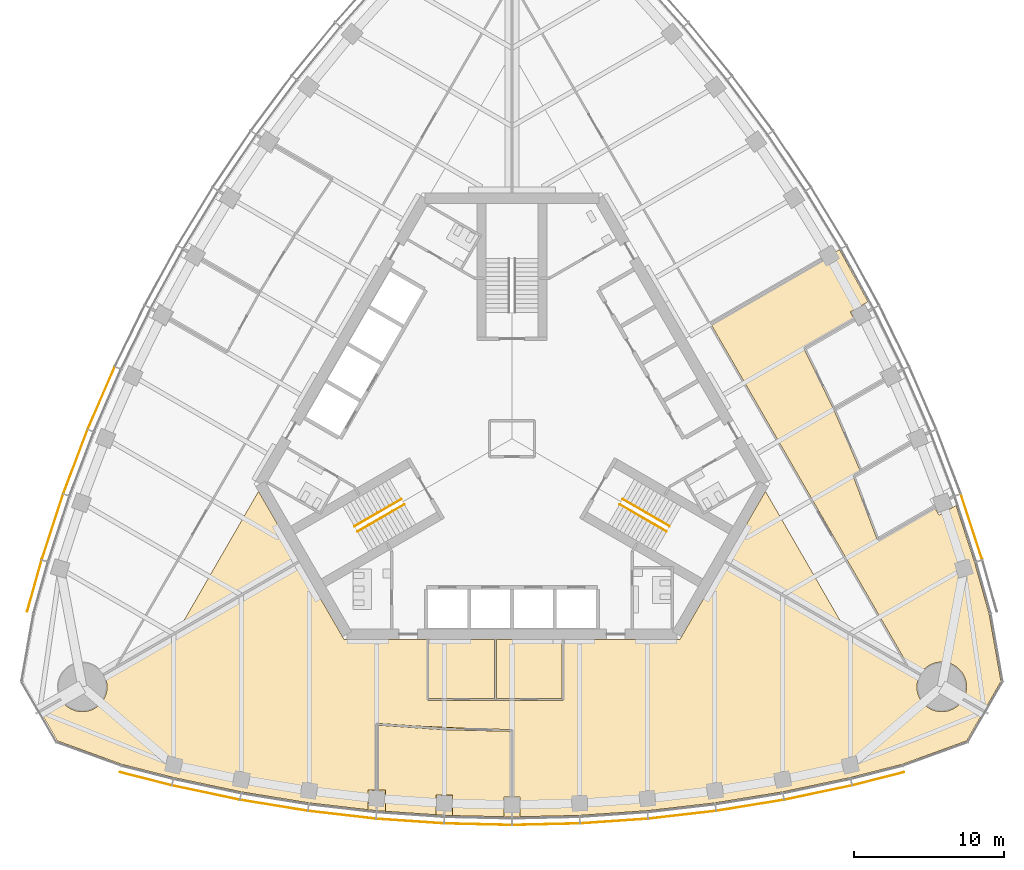
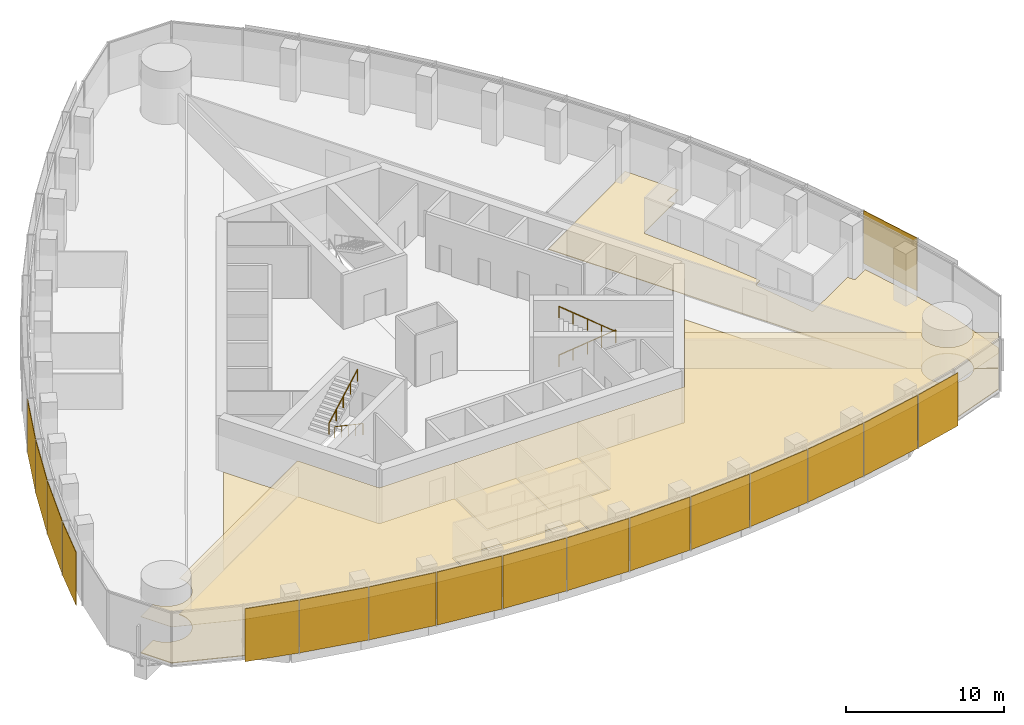
# One storey, part 15 of 19: 17 shading devices, 8 coverings, 4 railings.
"""IFC4 building model written with IfcOpenShell, lengths in metres."""

from ifc_helpers import new_model, si_unit, direction, frame, origin, origin_2d, place, context, subcontext, project, spatial, polyline, rectangle, circle, outline, extrude, material, layer, layer_set, type_object, element, save


model = new_model("IFC4")

# Units and contexts
model_context = context("Model", 3, precision=1e-05, world=origin(), true_north=direction((0.0, 1.0)))
body_context = subcontext(model_context, "Body", "Model", "MODEL_VIEW")
ifc_project = project(units=[si_unit("LENGTHUNIT", "METRE"), si_unit("AREAUNIT", "SQUARE_METRE"), si_unit("VOLUMEUNIT", "CUBIC_METRE"), si_unit("PLANEANGLEUNIT", "RADIAN"), si_unit("MASSUNIT", "GRAM", prefix="KILO")], contexts=[model_context])

# Site, building, storey
site_placement = place(None, origin())
site = spatial("IfcSite", under=ifc_project, at=site_placement, CompositionType="ELEMENT")
building_placement = place(site_placement, origin())
building = spatial("IfcBuilding", under=site, at=building_placement, Name="Trefoil Bronze Tower", CompositionType="ELEMENT")
storey_placement = place(building_placement, frame((0.0, 0.0, 240.10009765625)))
storey = spatial("IfcBuildingStorey", under=building, at=storey_placement, Name="L55", CompositionType="ELEMENT", Elevation=240.10009765625)

# Shading devices
ifc_material_1 = material(Name="Perforated bronze sheet", Category="bronze")
ifc_layer_1 = layer(ifc_material_1, 0.0400390625)
ifc_layer_set_1 = layer_set([ifc_layer_1], Name="Bronze solar screen panel")
shading_device_type = type_object("IfcShadingDeviceType", Name="Bronze solar screen panel", PredefinedType="SHUTTER", material=ifc_layer_set_1)
shading_device_1_placement = place(storey_placement, frame((-24.360107421875, -22.614501953125, 0.0498046875), z_axis=(0.0, 0.0, 1.0), x_axis=(0.968934035393, -0.247319297786, 0.0)))
element("IfcShadingDevice", 1, at=shading_device_1_placement, inside=storey, type_object=shading_device_type, Name="Solar screen CW-A L55 F1 bay 1", PredefinedType="SHUTTER", context=body_context, shape_type="SweptSolid", body=[
    extrude(rectangle(XDim=3.53369140625, YDim=0.0400390625, at=origin_2d()), origin(), (0.0, 0.0, 1.0), 4.10009765625),
])
shading_device_2_placement = place(storey_placement, frame((-20.361572265625, -23.535888671875, 0.0498046875), z_axis=(0.0, 0.0, 1.0), x_axis=(0.978394335897, -0.20674748725, 0.0)))
element("IfcShadingDevice", 2, at=shading_device_2_placement, inside=storey, type_object=shading_device_type, Name="Solar screen CW-A L55 F1 bay 2", PredefinedType="SHUTTER", context=body_context, shape_type="SweptSolid", body=[
    extrude(rectangle(XDim=4.5693359375, YDim=0.0400390625, at=origin_2d()), origin(), (0.0, 0.0, 1.0), 4.10009765625),
])
shading_device_3_placement = place(storey_placement, frame((-15.8369140625, -24.382568359375, 0.0498046875), z_axis=(0.0, 0.0, 1.0), x_axis=(0.986986549528, -0.160802832848, 0.0)))
element("IfcShadingDevice", 3, at=shading_device_3_placement, inside=storey, type_object=shading_device_type, Name="Solar screen CW-A L55 F1 bay 3", PredefinedType="SHUTTER", context=body_context, shape_type="SweptSolid", body=[
    extrude(rectangle(XDim=4.529296875, YDim=0.0400390625, at=origin_2d()), origin(), (0.0, 0.0, 1.0), 4.10009765625),
])
shading_device_4_placement = place(storey_placement, frame((-11.31201171875, -25.0126953125, 0.0498046875), z_axis=(0.0, 0.0, 1.0), x_axis=(0.993381831741, -0.114858767043, 0.0)))
element("IfcShadingDevice", 4, at=shading_device_4_placement, inside=storey, type_object=shading_device_type, Name="Solar screen CW-A L55 F1 bay 4", PredefinedType="SHUTTER", context=body_context, shape_type="SweptSolid", body=[
    extrude(rectangle(XDim=4.5, YDim=0.0400390625, at=origin_2d()), origin(), (0.0, 0.0, 1.0), 4.10009765625),
])
shading_device_5_placement = place(storey_placement, frame((-6.787109375, -25.430419921875, 0.0498046875), z_axis=(0.0, 0.0, 1.0), x_axis=(0.99762252804, -0.068915103905, 0.0)))
element("IfcShadingDevice", 5, at=shading_device_5_placement, inside=storey, type_object=shading_device_type, Name="Solar screen CW-A L55 F1 bay 5", PredefinedType="SHUTTER", context=body_context, shape_type="SweptSolid", body=[
    extrude(rectangle(XDim=4.480712890625, YDim=0.0400390625, at=origin_2d()), origin(), (0.0, 0.0, 1.0), 4.10009765625),
])
for number, where, z_axis, x_axis, name in (
    (6, (-2.262451171875, -25.638671875, 0.0498046875), (0.0, 0.0, 1.0), (0.999736116243, -0.022971675577, 0.0), "Solar screen CW-A L55 F1 bay 6"),
    (7, (2.262451171875, -25.638671875, 0.0498046875), (0.0, 0.0, 1.0), (0.999736116243, 0.022971675577, 0.0), "Solar screen CW-A L55 F1 bay 7"),
):
    element("IfcShadingDevice", number, at=place(storey_placement, frame(where, z_axis=z_axis, x_axis=x_axis)), inside=storey, type_object=shading_device_type, Name=name, PredefinedType="SHUTTER", context=body_context, shape_type="SweptSolid", body=[
        extrude(rectangle(XDim=4.47119140625, YDim=0.0400390625, at=origin_2d()), origin(), (0.0, 0.0, 1.0), 4.10009765625),
    ])
shading_device_6_placement = place(storey_placement, frame((6.787109375, -25.430419921875, 0.0498046875), z_axis=(0.0, 0.0, 1.0), x_axis=(0.99762252804, 0.068915103905, 0.0)))
element("IfcShadingDevice", 8, at=shading_device_6_placement, inside=storey, type_object=shading_device_type, Name="Solar screen CW-A L55 F1 bay 8", PredefinedType="SHUTTER", context=body_context, shape_type="SweptSolid", body=[
    extrude(rectangle(XDim=4.480712890625, YDim=0.0400390625, at=origin_2d()), origin(), (0.0, 0.0, 1.0), 4.10009765625),
])
shading_device_7_placement = place(storey_placement, frame((11.31201171875, -25.0126953125, 0.0498046875), z_axis=(0.0, 0.0, 1.0), x_axis=(0.993381831741, 0.114858767043, 0.0)))
element("IfcShadingDevice", 9, at=shading_device_7_placement, inside=storey, type_object=shading_device_type, Name="Solar screen CW-A L55 F1 bay 9", PredefinedType="SHUTTER", context=body_context, shape_type="SweptSolid", body=[
    extrude(rectangle(XDim=4.5, YDim=0.0400390625, at=origin_2d()), origin(), (0.0, 0.0, 1.0), 4.10009765625),
])
shading_device_8_placement = place(storey_placement, frame((15.8369140625, -24.382568359375, 0.0498046875), z_axis=(0.0, 0.0, 1.0), x_axis=(0.986986549528, 0.160802832848, 0.0)))
element("IfcShadingDevice", 10, at=shading_device_8_placement, inside=storey, type_object=shading_device_type, Name="Solar screen CW-A L55 F1 bay 10", PredefinedType="SHUTTER", context=body_context, shape_type="SweptSolid", body=[
    extrude(rectangle(XDim=4.529296875, YDim=0.0400390625, at=origin_2d()), origin(), (0.0, 0.0, 1.0), 4.10009765625),
])
shading_device_9_placement = place(storey_placement, frame((20.361572265625, -23.535888671875, 0.0498046875), z_axis=(0.0, 0.0, 1.0), x_axis=(0.978394335897, 0.20674748725, 0.0)))
element("IfcShadingDevice", 11, at=shading_device_9_placement, inside=storey, type_object=shading_device_type, Name="Solar screen CW-A L55 F1 bay 11", PredefinedType="SHUTTER", context=body_context, shape_type="SweptSolid", body=[
    extrude(rectangle(XDim=4.5693359375, YDim=0.0400390625, at=origin_2d()), origin(), (0.0, 0.0, 1.0), 4.10009765625),
])
shading_device_10_placement = place(storey_placement, frame((24.360107421875, -22.614501953125, 0.0498046875), z_axis=(0.0, 0.0, 1.0), x_axis=(0.968934035393, 0.247319297786, 0.0)))
element("IfcShadingDevice", 12, at=shading_device_10_placement, inside=storey, type_object=shading_device_type, Name="Solar screen CW-A L55 F1 bay 12", PredefinedType="SHUTTER", context=body_context, shape_type="SweptSolid", body=[
    extrude(rectangle(XDim=3.53369140625, YDim=0.0400390625, at=origin_2d()), origin(), (0.0, 0.0, 1.0), 4.10009765625),
])
shading_device_11_placement = place(storey_placement, frame((30.5634765625, -5.86572265625, 0.0498046875), z_axis=(0.0, 0.0, 1.0), x_axis=(-0.310148591821, 0.950688093431, 0.0)))
element("IfcShadingDevice", 13, at=shading_device_11_placement, inside=storey, type_object=shading_device_type, Name="Solar screen CW-A L55 F2 bay 2", PredefinedType="SHUTTER", context=body_context, shape_type="SweptSolid", body=[
    extrude(rectangle(XDim=4.5693359375, YDim=0.0400390625, at=origin_2d()), origin(), (0.0, 0.0, 1.0), 4.10009765625),
])
shading_device_12_placement = place(storey_placement, frame((-27.317626953125, 2.709716796875, 0.0498046875), z_axis=(0.0, 0.0, 1.0), x_axis=(-0.397220305764, -0.917723285467, 0.0)))
element("IfcShadingDevice", 14, at=shading_device_12_placement, inside=storey, type_object=shading_device_type, Name="Solar screen CW-A L55 F3 bay 9", PredefinedType="SHUTTER", context=body_context, shape_type="SweptSolid", body=[
    extrude(rectangle(XDim=4.5, YDim=0.0400390625, at=origin_2d()), origin(), (0.0, 0.0, 1.0), 4.10009765625),
])
shading_device_13_placement = place(storey_placement, frame((-29.0341796875, -1.52392578125, 0.0498046875), z_axis=(0.0, 0.0, 1.0), x_axis=(-0.354233936517, -0.935156841508, 0.0)))
element("IfcShadingDevice", 15, at=shading_device_13_placement, inside=storey, type_object=shading_device_type, Name="Solar screen CW-A L55 F3 bay 10", PredefinedType="SHUTTER", context=body_context, shape_type="SweptSolid", body=[
    extrude(rectangle(XDim=4.529296875, YDim=0.0400390625, at=origin_2d()), origin(), (0.0, 0.0, 1.0), 4.10009765625),
])
shading_device_14_placement = place(storey_placement, frame((-30.5634765625, -5.86572265625, 0.0498046875), z_axis=(0.0, 0.0, 1.0), x_axis=(-0.310148591821, -0.950688093431, 0.0)))
element("IfcShadingDevice", 16, at=shading_device_14_placement, inside=storey, type_object=shading_device_type, Name="Solar screen CW-A L55 F3 bay 11", PredefinedType="SHUTTER", context=body_context, shape_type="SweptSolid", body=[
    extrude(rectangle(XDim=4.5693359375, YDim=0.0400390625, at=origin_2d()), origin(), (0.0, 0.0, 1.0), 4.10009765625),
])
shading_device_15_placement = place(storey_placement, frame((-31.764892578125, -9.7890625, 0.0498046875), z_axis=(0.0, 0.0, 1.0), x_axis=(-0.270282222968, -0.962781138134, 0.0)))
element("IfcShadingDevice", 17, at=shading_device_15_placement, inside=storey, type_object=shading_device_type, Name="Solar screen CW-A L55 F3 bay 12", PredefinedType="SHUTTER", context=body_context, shape_type="SweptSolid", body=[
    extrude(rectangle(XDim=3.53369140625, YDim=0.0400390625, at=origin_2d()), origin(), (0.0, 0.0, 1.0), 4.10009765625),
])

# Railings
ifc_material_2 = material(Name="Steel handrail", Category="steel")
railing_type = type_object("IfcRailingType", Name="Handrail 900", PredefinedType="HANDRAIL", material=ifc_material_2)
railing_1_placement = place(storey_placement, frame((7.365966796875, -4.021728515625, 0.161376953125)))
element("IfcRailing", 18, at=railing_1_placement, inside=storey, type_object=railing_type, Name="Handrail ST1 flight 1 L55", PredefinedType="HANDRAIL", context=body_context, shape_type="SweptSolid", body=[
    extrude(circle(Radius=0.02392578125, at=origin_2d()), frame((0.0, 0.0, 0.8759765625), z_axis=(0.76250339821, -0.440245697338, 0.474101564745), x_axis=(0.500012057535, 0.866018442252, 0.0)), (0.0, 0.0, 1.0), 4.088623046875),
    extrude(circle(Radius=0.02099609375, at=origin_2d()), origin(), (0.0, 0.0, 1.0), 0.851806640625),
    extrude(circle(Radius=0.02099609375, at=origin_2d()), frame((0.779296875, -0.449951171875, 0.484619140625)), (0.0, 0.0, 1.0), 0.851806640625),
    extrude(circle(Radius=0.02099609375, at=origin_2d()), frame((1.558837890625, -0.89990234375, 0.96923828125)), (0.0, 0.0, 1.0), 0.851806640625),
    extrude(circle(Radius=0.02099609375, at=origin_2d()), frame((2.33837890625, -1.35009765625, 1.453857421875)), (0.0, 0.0, 1.0), 0.851806640625),
    extrude(circle(Radius=0.02099609375, at=origin_2d()), frame((3.11767578125, -1.800048828125, 1.9384765625)), (0.0, 0.0, 1.0), 0.851806640625),
])
railing_2_placement = place(storey_placement, frame((10.28369140625, -6.168212890625, 2.261474609375)))
element("IfcRailing", 19, at=railing_2_placement, inside=storey, type_object=railing_type, Name="Handrail ST1 flight 2 L55", PredefinedType="HANDRAIL", context=body_context, shape_type="SweptSolid", body=[
    extrude(circle(Radius=0.02392578125, at=origin_2d()), frame((0.0, 0.0, 0.8759765625), z_axis=(-0.76250339821, 0.440245697338, 0.474101564745), x_axis=(-0.500012057535, -0.866018442252, 0.0)), (0.0, 0.0, 1.0), 4.088623046875),
    extrude(circle(Radius=0.02099609375, at=origin_2d()), origin(), (0.0, 0.0, 1.0), 0.851806640625),
    extrude(circle(Radius=0.02099609375, at=origin_2d()), frame((-0.779296875, 0.449951171875, 0.484619140625)), (0.0, 0.0, 1.0), 0.851806640625),
    extrude(circle(Radius=0.02099609375, at=origin_2d()), frame((-1.558837890625, 0.89990234375, 0.96923828125)), (0.0, 0.0, 1.0), 0.851806640625),
    extrude(circle(Radius=0.02099609375, at=origin_2d()), frame((-2.33837890625, 1.35009765625, 1.453857421875)), (0.0, 0.0, 1.0), 0.851806640625),
    extrude(circle(Radius=0.02099609375, at=origin_2d()), frame((-3.11767578125, 1.800048828125, 1.9384765625)), (0.0, 0.0, 1.0), 0.851806640625),
])
railing_3_placement = place(storey_placement, frame((-7.166015625, -4.3681640625, 0.161376953125)))
element("IfcRailing", 20, at=railing_3_placement, inside=storey, type_object=railing_type, Name="Handrail ST3 flight 1 L55", PredefinedType="HANDRAIL", context=body_context, shape_type="SweptSolid", body=[
    extrude(circle(Radius=0.02392578125, at=origin_2d()), frame((0.0, 0.0, 0.8759765625), z_axis=(-0.76250339821, -0.440245697338, 0.474101564745), x_axis=(0.500012057535, -0.866018442252, 0.0)), (0.0, 0.0, 1.0), 4.088623046875),
    extrude(circle(Radius=0.02099609375, at=origin_2d()), origin(), (0.0, 0.0, 1.0), 0.851806640625),
    extrude(circle(Radius=0.02099609375, at=origin_2d()), frame((-0.779296875, -0.449951171875, 0.484619140625)), (0.0, 0.0, 1.0), 0.851806640625),
    extrude(circle(Radius=0.02099609375, at=origin_2d()), frame((-1.558837890625, -0.89990234375, 0.96923828125)), (0.0, 0.0, 1.0), 0.851806640625),
    extrude(circle(Radius=0.02099609375, at=origin_2d()), frame((-2.33837890625, -1.35009765625, 1.453857421875)), (0.0, 0.0, 1.0), 0.851806640625),
    extrude(circle(Radius=0.02099609375, at=origin_2d()), frame((-3.11767578125, -1.800048828125, 1.9384765625)), (0.0, 0.0, 1.0), 0.851806640625),
])
railing_4_placement = place(storey_placement, frame((-10.483642578125, -5.82177734375, 2.261474609375)))
element("IfcRailing", 21, at=railing_4_placement, inside=storey, type_object=railing_type, Name="Handrail ST3 flight 2 L55", PredefinedType="HANDRAIL", context=body_context, shape_type="SweptSolid", body=[
    extrude(circle(Radius=0.02392578125, at=origin_2d()), frame((0.0, 0.0, 0.8759765625), z_axis=(0.76250339821, 0.440245697338, 0.474101564745), x_axis=(-0.500012057535, 0.866018442252, 0.0)), (0.0, 0.0, 1.0), 4.088623046875),
    extrude(circle(Radius=0.02099609375, at=origin_2d()), origin(), (0.0, 0.0, 1.0), 0.851806640625),
    extrude(circle(Radius=0.02099609375, at=origin_2d()), frame((0.779296875, 0.449951171875, 0.484619140625)), (0.0, 0.0, 1.0), 0.851806640625),
    extrude(circle(Radius=0.02099609375, at=origin_2d()), frame((1.558837890625, 0.89990234375, 0.96923828125)), (0.0, 0.0, 1.0), 0.851806640625),
    extrude(circle(Radius=0.02099609375, at=origin_2d()), frame((2.33837890625, 1.35009765625, 1.453857421875)), (0.0, 0.0, 1.0), 0.851806640625),
    extrude(circle(Radius=0.02099609375, at=origin_2d()), frame((3.11767578125, 1.800048828125, 1.9384765625)), (0.0, 0.0, 1.0), 0.851806640625),
])

# Coverings
ifc_material_3 = material(Name="Acoustic ceiling panels", Category="mineral fibre")
ifc_layer_2 = layer(ifc_material_3, 0.02001953125)
ifc_layer_set_2 = layer_set([ifc_layer_2], Name="Office ceiling 20")
covering_type_1 = type_object("IfcCoveringType", Name="Office ceiling 20", PredefinedType="CEILING", material=ifc_layer_set_2)
covering_1_placement = place(storey_placement, frame((0.0, 0.0, 2.89990234375)))
element("IfcCovering", 22, at=covering_1_placement, inside=storey, type_object=covering_type_1, Name="Ceiling L55 Studio F1", PredefinedType="CEILING", context=body_context, shape_type="SweptSolid", body=[
    extrude(outline(polyline([(-29.95068359375, -17.416748046875), (-29.904052734375, -17.48291015625), (-29.854248046875, -17.546630859375), (-29.801513671875, -17.608154296875), (-29.74560546875, -17.666748046875), (-29.68701171875, -17.72265625), (-29.62548828125, -17.775390625), (-29.561767578125, -17.8251953125), (-29.49560546875, -17.871826171875), (-29.427001953125, -17.915283203125), (-29.356689453125, -17.955078125), (-29.2841796875, -17.99169921875), (-29.210205078125, -18.0244140625), (-29.134765625, -18.053466796875), (-29.057861328125, -18.0791015625), (-28.979736328125, -18.1005859375), (-28.900634765625, -18.118408203125), (-28.82080078125, -18.132080078125), (-28.740478515625, -18.14208984375), (-28.659912109375, -18.14794921875), (-28.578857421875, -18.14990234375), (-28.497802734375, -18.14794921875), (-28.4169921875, -18.14208984375), (-28.336669921875, -18.132080078125), (-28.2568359375, -18.118408203125), (-28.177978515625, -18.1005859375), (-28.099853515625, -18.0791015625), (-28.02294921875, -18.053466796875), (-27.947509765625, -18.0244140625), (-27.873291015625, -17.99169921875), (-27.801025390625, -17.955078125), (-27.730712890625, -17.915283203125), (-27.662109375, -17.871826171875), (-27.595947265625, -17.8251953125), (-27.531982421875, -17.775390625), (-27.470703125, -17.72265625), (-27.412109375, -17.666748046875), (-27.356201171875, -17.608154296875), (-27.303466796875, -17.546630859375), (-27.25341796875, -17.48291015625), (-27.206787109375, -17.416748046875), (-27.16357421875, -17.348388671875), (-27.123779296875, -17.27783203125), (-27.08740234375, -17.20556640625), (-27.054443359375, -17.13134765625), (-27.025390625, -17.055908203125), (-27.0, -16.97900390625), (-26.978271484375, -16.90087890625), (-26.96044921875, -16.822021484375), (-26.94677734375, -16.7421875), (-26.936767578125, -16.66162109375), (-26.930908203125, -16.5810546875), (-26.9287109375, -16.5), (-26.930908203125, -16.4189453125), (-26.936767578125, -16.33837890625), (-26.94677734375, -16.2578125), (-26.96044921875, -16.177978515625), (-26.978271484375, -16.09912109375), (-27.0, -16.02099609375), (-27.025390625, -15.944091796875), (-27.054443359375, -15.86865234375), (-27.08740234375, -15.79443359375), (-27.123779296875, -15.72216796875), (-27.14453125, -15.685546875), (-14.156494140625, -8.180419921875), (-11.171630859375, -13.35009765625), (11.171630859375, -13.35009765625), (14.156494140625, -8.180419921875), (27.14453125, -15.685546875), (27.123779296875, -15.72216796875), (27.08740234375, -15.79443359375), (27.054443359375, -15.86865234375), (27.025390625, -15.944091796875), (27.0, -16.02099609375), (26.978271484375, -16.09912109375), (26.96044921875, -16.177978515625), (26.94677734375, -16.2578125), (26.936767578125, -16.33837890625), (26.930908203125, -16.4189453125), (26.9287109375, -16.5), (26.930908203125, -16.5810546875), (26.936767578125, -16.66162109375), (26.94677734375, -16.7421875), (26.96044921875, -16.822021484375), (26.978271484375, -16.90087890625), (27.0, -16.97900390625), (27.025390625, -17.055908203125), (27.054443359375, -17.13134765625), (27.08740234375, -17.20556640625), (27.123779296875, -17.27783203125), (27.16357421875, -17.348388671875), (27.206787109375, -17.416748046875), (27.25341796875, -17.48291015625), (27.303466796875, -17.546630859375), (27.356201171875, -17.608154296875), (27.412109375, -17.666748046875), (27.470703125, -17.72265625), (27.531982421875, -17.775390625), (27.595947265625, -17.8251953125), (27.662109375, -17.871826171875), (27.730712890625, -17.915283203125), (27.801025390625, -17.955078125), (27.873291015625, -17.99169921875), (27.947509765625, -18.0244140625), (28.02294921875, -18.053466796875), (28.099853515625, -18.0791015625), (28.177978515625, -18.1005859375), (28.2568359375, -18.118408203125), (28.336669921875, -18.132080078125), (28.4169921875, -18.14208984375), (28.497802734375, -18.14794921875), (28.578857421875, -18.14990234375), (28.659912109375, -18.14794921875), (28.740478515625, -18.14208984375), (28.82080078125, -18.132080078125), (28.900634765625, -18.118408203125), (28.979736328125, -18.1005859375), (29.057861328125, -18.0791015625), (29.134765625, -18.053466796875), (29.210205078125, -18.0244140625), (29.2841796875, -17.99169921875), (29.356689453125, -17.955078125), (29.427001953125, -17.915283203125), (29.49560546875, -17.871826171875), (29.561767578125, -17.8251953125), (29.62548828125, -17.775390625), (29.68701171875, -17.72265625), (29.74560546875, -17.666748046875), (29.801513671875, -17.608154296875), (29.854248046875, -17.546630859375), (29.904052734375, -17.48291015625), (29.95068359375, -17.416748046875), (30.0009765625, -17.336181640625), (31.37158203125, -18.1279296875), (30.23828125, -20.0908203125), (25.952880859375, -21.650634765625), (22.5, -22.531982421875), (18.0, -23.48291015625), (13.5, -24.216064453125), (9.0, -24.736328125), (4.5, -25.047119140625), (0.0, -25.150634765625), (-4.5, -25.047119140625), (-9.0, -24.736328125), (-13.5, -24.216064453125), (-18.0, -23.48291015625), (-22.5, -22.531982421875), (-25.952880859375, -21.650634765625), (-30.23828125, -20.0908203125), (-31.37158203125, -18.1279296875), (-30.0009765625, -17.336181640625), (-29.95068359375, -17.416748046875)])), origin(), (0.0, 0.0, 1.0), 0.02001953125),
])
ifc_material_4 = material(Name="Raised access floor panels", Category="steel")
ifc_layer_3 = layer(ifc_material_4, 0.050048828125)
ifc_layer_set_3 = layer_set([ifc_layer_3], Name="Raised access floor 150")
covering_type_2 = type_object("IfcCoveringType", Name="Raised access floor 150", PredefinedType="FLOORING", material=ifc_layer_set_3)
covering_2_placement = place(storey_placement, frame((0.0, 0.0, 0.099853515625)))
element("IfcCovering", 23, at=covering_2_placement, inside=storey, type_object=covering_type_2, Name="Raised floor L55 Project room F1", PredefinedType="FLOORING", context=body_context, shape_type="SweptSolid", body=[
    extrude(outline(polyline([(-1.159912109375, -13.35009765625), (-1.159912109375, -17.2900390625), (-5.5400390625, -17.2900390625), (-5.5400390625, -13.35009765625), (-1.159912109375, -13.35009765625)])), origin(), (0.0, 0.0, 1.0), 0.050048828125),
])
covering_3_placement = place(storey_placement, frame((0.0, 0.0, 0.099853515625)))
element("IfcCovering", 24, at=covering_3_placement, inside=storey, type_object=covering_type_2, Name="Raised floor L55 Project room F1", PredefinedType="FLOORING", context=body_context, shape_type="SweptSolid", body=[
    extrude(outline(polyline([(3.340087890625, -13.35009765625), (3.340087890625, -17.2900390625), (-1.0400390625, -17.2900390625), (-1.0400390625, -13.35009765625), (3.340087890625, -13.35009765625)])), origin(), (0.0, 0.0, 1.0), 0.050048828125),
])
covering_4_placement = place(storey_placement, frame((0.0, 0.0, 0.099853515625)))
element("IfcCovering", 25, at=covering_4_placement, inside=storey, type_object=covering_type_2, Name="Raised floor L55 Kitchen and breakout F1", PredefinedType="FLOORING", context=body_context, shape_type="SweptSolid", body=[
    extrude(outline(polyline([(-3.950439453125, -25.059814453125), (-3.950439453125, -23.69677734375), (-5.049560546875, -23.69677734375), (-5.049560546875, -25.00927734375), (-8.427978515625, -24.77587890625), (-8.427978515625, -23.36083984375), (-8.93994140625, -23.36083984375), (-8.93994140625, -19.05078125), (-4.504150390625, -19.357177734375), (-4.5, -19.297119140625), (-4.50146484375, -19.357177734375), (-0.06005859375, -19.459228515625), (-0.06005859375, -23.795654296875), (0.0, -23.795654296875), (0.0, -23.82470703125), (-0.52587890625, -23.82470703125), (-0.52587890625, -25.138427734375), (-3.950439453125, -25.059814453125)])), origin(), (0.0, 0.0, 1.0), 0.050048828125),
])
covering_5_placement = place(storey_placement, frame((0.0, 0.0, 0.099853515625)))
element("IfcCovering", 26, at=covering_5_placement, inside=storey, type_object=covering_type_2, Name="Raised floor L55 Studio F1", PredefinedType="FLOORING", context=body_context, shape_type="SweptSolid", body=[
    extrude(outline(polyline([(-14.156494140625, -8.180419921875), (-11.171630859375, -13.35009765625), (-5.659912109375, -13.35009765625), (-5.659912109375, -17.35009765625), (-5.60009765625, -17.35009765625), (-5.60009765625, -17.409912109375), (3.39990234375, -17.409912109375), (3.39990234375, -17.35009765625), (3.4599609375, -17.35009765625), (3.4599609375, -13.35009765625), (11.171630859375, -13.35009765625), (14.156494140625, -8.180419921875), (27.14453125, -15.685546875), (27.123779296875, -15.72216796875), (27.08740234375, -15.79443359375), (27.054443359375, -15.86865234375), (27.025390625, -15.944091796875), (27.0, -16.02099609375), (26.978271484375, -16.09912109375), (26.96044921875, -16.177978515625), (26.94677734375, -16.2578125), (26.936767578125, -16.33837890625), (26.930908203125, -16.4189453125), (26.9287109375, -16.5), (26.930908203125, -16.5810546875), (26.936767578125, -16.66162109375), (26.94677734375, -16.7421875), (26.96044921875, -16.822021484375), (26.978271484375, -16.90087890625), (27.0, -16.97900390625), (27.025390625, -17.055908203125), (27.054443359375, -17.13134765625), (27.08740234375, -17.20556640625), (27.123779296875, -17.27783203125), (27.16357421875, -17.348388671875), (27.206787109375, -17.416748046875), (27.25341796875, -17.48291015625), (27.303466796875, -17.546630859375), (27.356201171875, -17.608154296875), (27.412109375, -17.666748046875), (27.470703125, -17.72265625), (27.531982421875, -17.775390625), (27.595947265625, -17.8251953125), (27.662109375, -17.871826171875), (27.730712890625, -17.915283203125), (27.801025390625, -17.955078125), (27.873291015625, -17.99169921875), (27.947509765625, -18.0244140625), (28.02294921875, -18.053466796875), (28.099853515625, -18.0791015625), (28.177978515625, -18.1005859375), (28.2568359375, -18.118408203125), (28.336669921875, -18.132080078125), (28.4169921875, -18.14208984375), (28.497802734375, -18.14794921875), (28.578857421875, -18.14990234375), (28.659912109375, -18.14794921875), (28.740478515625, -18.14208984375), (28.82080078125, -18.132080078125), (28.900634765625, -18.118408203125), (28.979736328125, -18.1005859375), (29.057861328125, -18.0791015625), (29.134765625, -18.053466796875), (29.210205078125, -18.0244140625), (29.2841796875, -17.99169921875), (29.356689453125, -17.955078125), (29.427001953125, -17.915283203125), (29.49560546875, -17.871826171875), (29.561767578125, -17.8251953125), (29.62548828125, -17.775390625), (29.68701171875, -17.72265625), (29.74560546875, -17.666748046875), (29.801513671875, -17.608154296875), (29.854248046875, -17.546630859375), (29.904052734375, -17.48291015625), (29.95068359375, -17.416748046875), (30.0009765625, -17.336181640625), (31.37158203125, -18.1279296875), (30.23828125, -20.0908203125), (25.952880859375, -21.650634765625), (22.5, -22.531982421875), (18.0, -23.48291015625), (13.5, -24.216064453125), (9.0, -24.736328125), (4.5, -25.047119140625), (0.52587890625, -25.138427734375), (0.52587890625, -23.82470703125), (0.0, -23.82470703125), (0.0, -23.795654296875), (0.06005859375, -23.795654296875), (0.06005859375, -19.400634765625), (0.0, -19.400634765625), (0.00146484375, -19.3408203125), (-2.603515625, -19.28076171875), (-6.390869140625, -19.1064453125), (-8.995849609375, -18.926513671875), (-9.0, -18.986328125), (-9.06005859375, -18.986328125), (-9.06005859375, -23.36083984375), (-9.572021484375, -23.36083984375), (-9.572021484375, -24.670166015625), (-13.5, -24.216064453125), (-18.0, -23.48291015625), (-22.5, -22.531982421875), (-25.952880859375, -21.650634765625), (-30.23828125, -20.0908203125), (-31.37158203125, -18.1279296875), (-30.0009765625, -17.336181640625), (-29.95068359375, -17.416748046875), (-29.904052734375, -17.48291015625), (-29.854248046875, -17.546630859375), (-29.801513671875, -17.608154296875), (-29.74560546875, -17.666748046875), (-29.68701171875, -17.72265625), (-29.62548828125, -17.775390625), (-29.561767578125, -17.8251953125), (-29.49560546875, -17.871826171875), (-29.427001953125, -17.915283203125), (-29.356689453125, -17.955078125), (-29.2841796875, -17.99169921875), (-29.210205078125, -18.0244140625), (-29.134765625, -18.053466796875), (-29.057861328125, -18.0791015625), (-28.979736328125, -18.1005859375), (-28.900634765625, -18.118408203125), (-28.82080078125, -18.132080078125), (-28.740478515625, -18.14208984375), (-28.659912109375, -18.14794921875), (-28.578857421875, -18.14990234375), (-28.497802734375, -18.14794921875), (-28.4169921875, -18.14208984375), (-28.336669921875, -18.132080078125), (-28.2568359375, -18.118408203125), (-28.177978515625, -18.1005859375), (-28.099853515625, -18.0791015625), (-28.02294921875, -18.053466796875), (-27.947509765625, -18.0244140625), (-27.873291015625, -17.99169921875), (-27.801025390625, -17.955078125), (-27.730712890625, -17.915283203125), (-27.662109375, -17.871826171875), (-27.595947265625, -17.8251953125), (-27.531982421875, -17.775390625), (-27.470703125, -17.72265625), (-27.412109375, -17.666748046875), (-27.356201171875, -17.608154296875), (-27.303466796875, -17.546630859375), (-27.25341796875, -17.48291015625), (-27.206787109375, -17.416748046875), (-27.16357421875, -17.348388671875), (-27.123779296875, -17.27783203125), (-27.08740234375, -17.20556640625), (-27.054443359375, -17.13134765625), (-27.025390625, -17.055908203125), (-27.0, -16.97900390625), (-26.978271484375, -16.90087890625), (-26.96044921875, -16.822021484375), (-26.94677734375, -16.7421875), (-26.936767578125, -16.66162109375), (-26.930908203125, -16.5810546875), (-26.9287109375, -16.5), (-26.930908203125, -16.4189453125), (-26.936767578125, -16.33837890625), (-26.94677734375, -16.2578125), (-26.96044921875, -16.177978515625), (-26.978271484375, -16.09912109375), (-27.0, -16.02099609375), (-27.025390625, -15.944091796875), (-27.054443359375, -15.86865234375), (-27.08740234375, -15.79443359375), (-27.123779296875, -15.72216796875), (-27.14453125, -15.685546875), (-14.156494140625, -8.180419921875)])), origin(), (0.0, 0.0, 1.0), 0.050048828125),
])
covering_6_placement = place(storey_placement, frame((0.0, 0.0, 0.099853515625)))
element("IfcCovering", 27, at=covering_6_placement, inside=storey, type_object=covering_type_2, Name="Raised floor L55 Studio F2", PredefinedType="FLOORING", context=body_context, shape_type="SweptSolid", body=[
    extrude(outline(polyline([(27.156005859375, -15.6650390625), (26.322998046875, -15.1845703125), (26.380126953125, -15.151611328125), (13.26171875, 7.570068359375), (20.64501953125, 11.8330078125), (20.608154296875, 11.89697265625), (21.781494140625, 12.574462890625), (23.677734375, 9.10888671875), (22.497314453125, 8.42724609375), (22.77197265625, 7.951416015625), (22.766845703125, 7.9482421875), (22.73681640625, 8.000244140625), (19.429931640625, 6.091064453125), (19.4599609375, 6.0390625), (19.406005859375, 6.0126953125), (21.385986328125, 1.96142578125), (23.163818359375, -2.1455078125), (22.712158203125, -2.40625), (22.7421875, -2.458251953125), (22.68603515625, -2.4794921875), (24.301025390625, -6.743408203125), (24.357177734375, -6.721923828125), (24.38720703125, -6.77392578125), (28.130615234375, -4.61279296875), (28.4072265625, -5.09228515625), (29.531494140625, -4.443359375), (30.76318359375, -8.219482421875), (31.7265625, -11.650634765625), (32.518310546875, -16.1416015625), (31.385009765625, -18.1044921875), (30.013916015625, -17.3134765625), (30.033935546875, -17.27783203125), (30.0703125, -17.20556640625), (30.103271484375, -17.13134765625), (30.13232421875, -17.055908203125), (30.15771484375, -16.97900390625), (30.179443359375, -16.90087890625), (30.197021484375, -16.822021484375), (30.2109375, -16.7421875), (30.220947265625, -16.66162109375), (30.226806640625, -16.5810546875), (30.228759765625, -16.5), (30.226806640625, -16.4189453125), (30.220947265625, -16.33837890625), (30.2109375, -16.2578125), (30.197021484375, -16.177978515625), (30.179443359375, -16.09912109375), (30.15771484375, -16.02099609375), (30.13232421875, -15.944091796875), (30.103271484375, -15.86865234375), (30.0703125, -15.79443359375), (30.033935546875, -15.72216796875), (29.994140625, -15.651611328125), (29.95068359375, -15.583251953125), (29.904052734375, -15.51708984375), (29.854248046875, -15.453369140625), (29.801513671875, -15.391845703125), (29.74560546875, -15.333251953125), (29.68701171875, -15.27734375), (29.62548828125, -15.224609375), (29.561767578125, -15.1748046875), (29.49560546875, -15.128173828125), (29.427001953125, -15.084716796875), (29.356689453125, -15.044921875), (29.2841796875, -15.00830078125), (29.210205078125, -14.9755859375), (29.134765625, -14.946533203125), (29.057861328125, -14.9208984375), (28.979736328125, -14.8994140625), (28.900634765625, -14.881591796875), (28.82080078125, -14.867919921875), (28.740478515625, -14.85791015625), (28.659912109375, -14.85205078125), (28.578857421875, -14.85009765625), (28.497802734375, -14.85205078125), (28.4169921875, -14.85791015625), (28.336669921875, -14.867919921875), (28.2568359375, -14.881591796875), (28.177978515625, -14.8994140625), (28.099853515625, -14.9208984375), (28.02294921875, -14.946533203125), (27.947509765625, -14.9755859375), (27.873291015625, -15.00830078125), (27.801025390625, -15.044921875), (27.730712890625, -15.084716796875), (27.662109375, -15.128173828125), (27.595947265625, -15.1748046875), (27.531982421875, -15.224609375), (27.470703125, -15.27734375), (27.412109375, -15.333251953125), (27.356201171875, -15.391845703125), (27.303466796875, -15.453369140625), (27.25341796875, -15.51708984375), (27.206787109375, -15.583251953125), (27.156005859375, -15.6650390625)])), origin(), (0.0, 0.0, 1.0), 0.050048828125),
])
covering_7_placement = place(storey_placement, frame((0.0, 0.0, 0.099853515625)))
element("IfcCovering", 28, at=covering_7_placement, inside=storey, type_object=covering_type_2, Name="Raised floor L55 Studio F2", PredefinedType="FLOORING", context=body_context, shape_type="SweptSolid", body=[
    extrude(outline(polyline([(22.247314453125, -12.833251953125), (14.16259765625, -8.169677734375), (16.858642578125, -3.5), (22.247314453125, -12.833251953125)])), origin(), (0.0, 0.0, 1.0), 0.050048828125),
])
covering_8_placement = place(storey_placement, frame((0.0, 0.0, 0.099853515625)))
element("IfcCovering", 29, at=covering_8_placement, inside=storey, type_object=covering_type_2, Name="Raised floor L55 Studio F3", PredefinedType="FLOORING", context=body_context, shape_type="SweptSolid", body=[
    extrude(outline(polyline([(-14.16259765625, -8.169677734375), (-22.247314453125, -12.833251953125), (-16.858642578125, -3.5), (-14.16259765625, -8.169677734375)])), origin(), (0.0, 0.0, 1.0), 0.050048828125),
])

save(model, "model.ifc")
